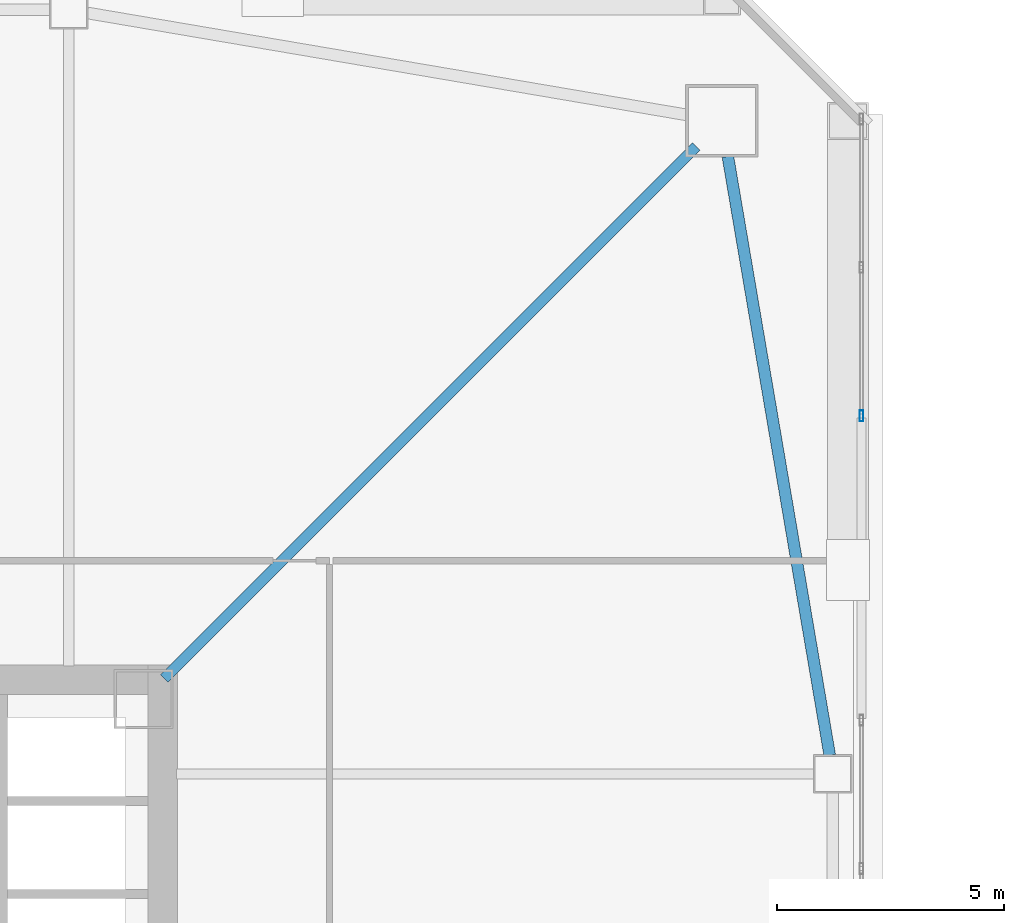
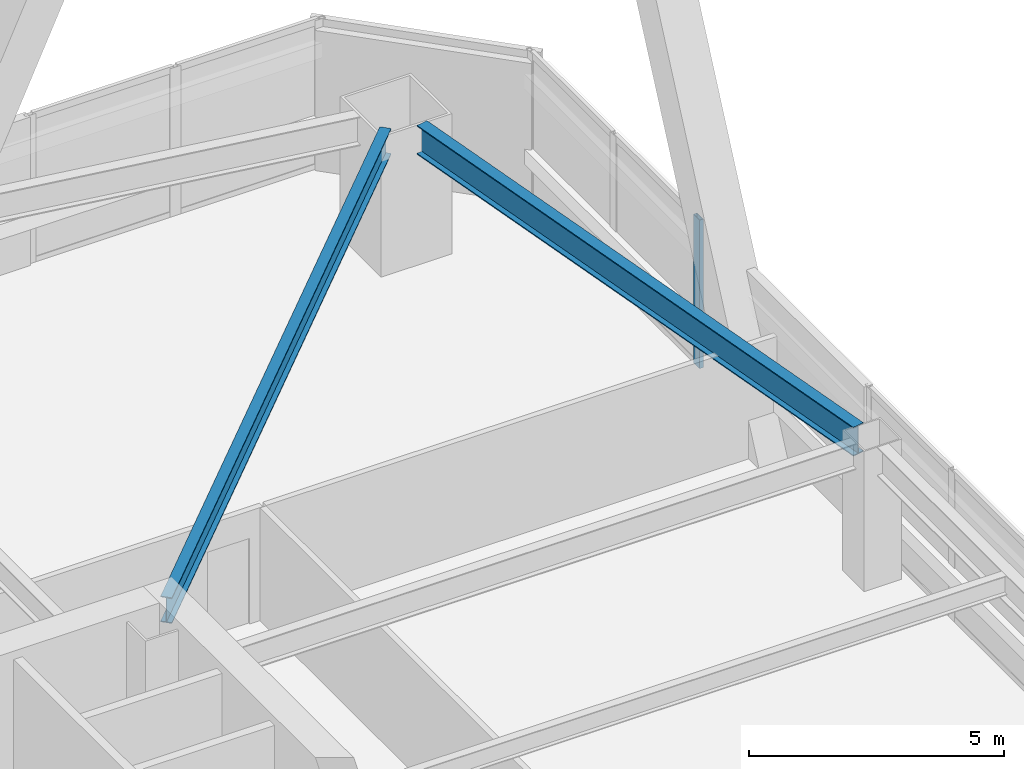
# One storey, part 26 of 75: 2 beams, 1 member, 1 element without a shape of its own.
"""IFC4 building model written with IfcOpenShell, lengths in metres."""

from ifc_helpers import new_model, si_unit, direction, frame, origin, origin_2d, place, context, subcontext, project, spatial, hollow_rectangle, i_section, extrude, material, material_profile, profile_set, type_object, element, aggregate, save


model = new_model("IFC4")

# Units and contexts
model_context = context("Model", 3, precision=1e-05, world=origin(), true_north=direction((0.0, 1.0)))
body_context = subcontext(model_context, "Body", "Model", "MODEL_VIEW")
ifc_project = project(units=[si_unit("LENGTHUNIT", "METRE"), si_unit("AREAUNIT", "SQUARE_METRE"), si_unit("VOLUMEUNIT", "CUBIC_METRE"), si_unit("PLANEANGLEUNIT", "RADIAN"), si_unit("MASSUNIT", "GRAM", prefix="KILO")], contexts=[model_context])

# Site, building, storey
site_placement = place(None, origin())
site = spatial("IfcSite", under=ifc_project, at=site_placement, CompositionType="ELEMENT")
building_placement = place(site_placement, origin())
building = spatial("IfcBuilding", under=site, at=building_placement, Name="Tashvorn Skyway Center", CompositionType="ELEMENT")
storey_placement = place(building_placement, frame((0.0, 0.0, 45.89990234375)))
storey = spatial("IfcBuildingStorey", under=building, at=storey_placement, Name="L11", CompositionType="ELEMENT", Elevation=45.89990234375)

# Beams
ifc_material_1 = material(Name="Steel ASTM A992 Grade 50", Category="steel")
ifc_material_profile_1 = material_profile(ifc_material_1, i_section(OverallWidth=0.22998046875, OverallDepth=0.616943359375, WebThickness=0.01318359375, FlangeThickness=0.022216796875, at=origin_2d()), Name="W24X94")
ifc_profile_set_1 = profile_set([ifc_material_profile_1], Name="Steel ASTM A992 Grade 50")
beam_type_1 = type_object("IfcBeamType", Name="BM-BEAM-W24X94", PredefinedType="BEAM", material=ifc_profile_set_1)
beam_1_placement = place(storey_placement, frame((61.23779296875, 51.23779296875, 3.04150390625), z_axis=(-0.707106781187, -0.707106781187, 0.0), x_axis=(0.707106781187, -0.707106781187, 0.0)))
element("IfcBeam", 1, at=beam_1_placement, inside=storey, type_object=beam_type_1, Name="Tower 1 L11 Primary Floor Girder MC-NE", PredefinedType="BEAM", context=body_context, shape_type="SweptSolid", body=[
    extrude(i_section(OverallWidth=0.22998046875, OverallDepth=0.616943359375, WebThickness=0.01318359375, FlangeThickness=0.022216796875, at=origin_2d()), origin(), (0.0, 0.0, 1.0), 16.591064453125),
])
ifc_material_profile_2 = material_profile(ifc_material_1, i_section(OverallWidth=0.256103515625, OverallDepth=0.693115234375, WebThickness=0.014404296875, FlangeThickness=0.023681640625, at=origin_2d()), Name="W27X114")
ifc_profile_set_2 = profile_set([ifc_material_profile_2], Name="Steel ASTM A992 Grade 50")
beam_type_2 = type_object("IfcBeamType", Name="BM-SPANDREL-W27X114", PredefinedType="SPANDREL", material=ifc_profile_set_2)
beam_2_placement = place(storey_placement, frame((64.179443359375, 37.81396484375, 3.003662109375), z_axis=(-0.16771792509, 0.985835025551, 0.0), x_axis=(-0.985835025551, -0.16771792509, 0.0)))
element("IfcBeam", 2, at=beam_2_placement, inside=storey, type_object=beam_type_2, Name="Tower 1 L11 Spandrel Beam 06", PredefinedType="SPANDREL", context=body_context, shape_type="SweptSolid", body=[
    extrude(i_section(OverallWidth=0.256103515625, OverallDepth=0.693115234375, WebThickness=0.014404296875, FlangeThickness=0.023681640625, at=origin_2d()), origin(), (0.0, 0.0, 1.0), 13.39208984375),
])

# Curtain wall, member
ifc_material_2 = material(Name="Thermally broken bronze-anodized aluminium 6063-T6", Category="aluminium")
curtain_wall_type = type_object("IfcCurtainWallType", Name="CW-CW-Z1", PredefinedType="NOTDEFINED", material=ifc_material_2)
curtain_wall_placement = place(storey_placement, origin())
curtain_wall = element("IfcCurtainWall", 3, at=curtain_wall_placement, inside=storey, type_object=curtain_wall_type, Name="Tower 1 L11 East Unitised Curtain Wall Glazing Group 1", PredefinedType="NOTDEFINED")
ifc_material_profile_3 = material_profile(ifc_material_2, hollow_rectangle(XDim=0.0849609375, YDim=0.239990234375, WallThickness=0.0048828125, at=origin_2d()), Name="ALU-MULL-85x240")
ifc_profile_set_3 = profile_set([ifc_material_profile_3], Name="Thermally broken bronze-anodized aluminium 6063-T6")
member_type = type_object("IfcMemberType", Name="CWM-CW-Z1", PredefinedType="MULLION", material=ifc_profile_set_3)
member_placement = place(storey_placement, frame((64.8798828125, 45.2958984375, 0.0), z_axis=(0.0, 0.0, 1.0), x_axis=(1.0, 0.0, 0.0)))
member = element("IfcMember", 4, at=member_placement, type_object=member_type, Name="CW-Z1 mullion 3", PredefinedType="MULLION", context=body_context, shape_type="SweptSolid", body=[
    extrude(hollow_rectangle(XDim=0.0849609375, YDim=0.239990234375, WallThickness=0.0048828125, at=origin_2d()), origin(), (0.0, 0.0, 1.0), 3.550048828125),
])
aggregate(curtain_wall, [member])

save(model, "model.ifc")
